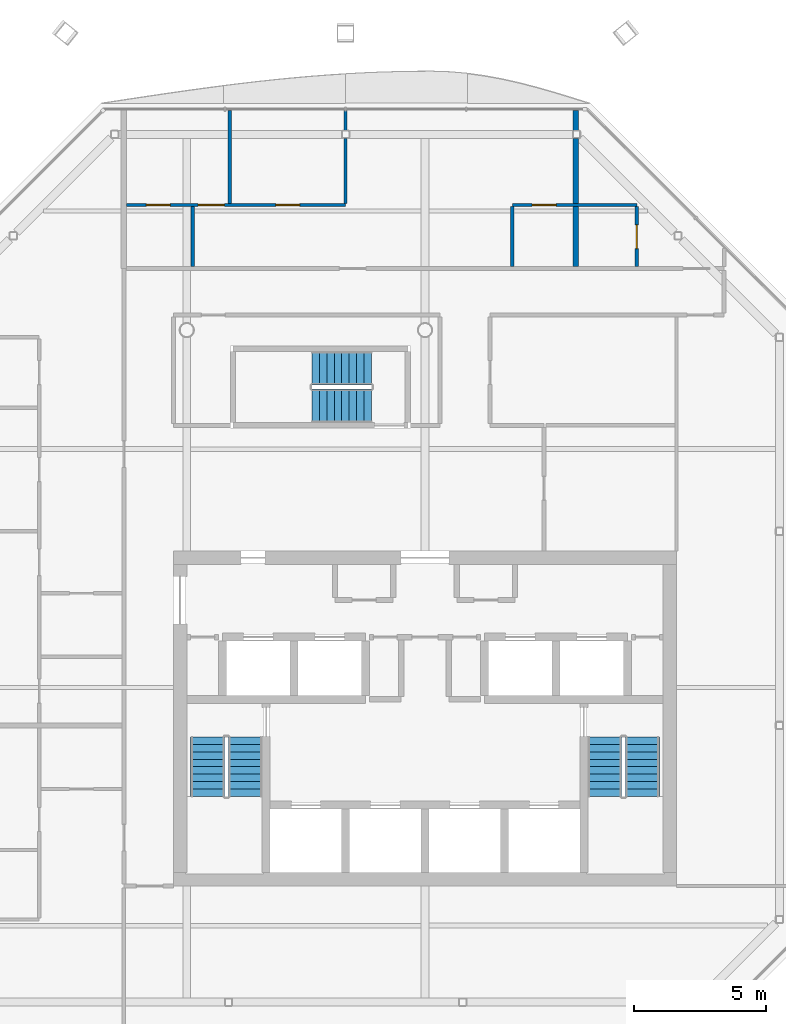
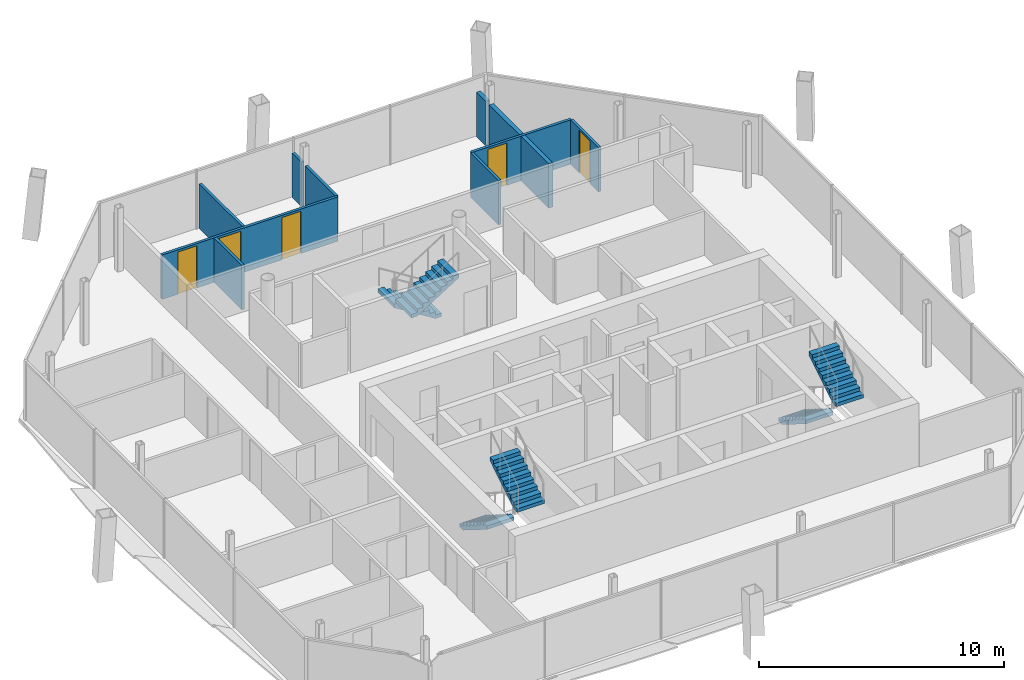
# One storey, part 12 of 16: 10 walls, 6 stair flights, 5 doors, 5 openings, 3 elements without a shape of their own.
"""IFC4 building model written with IfcOpenShell, lengths in metres."""

from ifc_helpers import new_model, si_unit, direction, frame, frame_2d, origin, place, context, subcontext, project, spatial, polyline, rectangle, outline, extrude, material, layer, layer_set, type_object, element, fill, aggregate, save


model = new_model("IFC4")

# Units and contexts
model_context = context("Model", 3, precision=1e-05, world=origin(), true_north=direction((0.0, 1.0)))
body_context = subcontext(model_context, "Body", "Model", "MODEL_VIEW")
ifc_project = project(units=[si_unit("LENGTHUNIT", "METRE"), si_unit("AREAUNIT", "SQUARE_METRE"), si_unit("VOLUMEUNIT", "CUBIC_METRE"), si_unit("PLANEANGLEUNIT", "RADIAN"), si_unit("MASSUNIT", "GRAM", prefix="KILO")], contexts=[model_context])

# Site, building, storey
site_placement = place(None, origin())
site = spatial("IfcSite", under=ifc_project, at=site_placement, CompositionType="ELEMENT")
building_placement = place(site_placement, origin())
building = spatial("IfcBuilding", under=site, at=building_placement, Name="Tskaro Facet Tower", CompositionType="ELEMENT")
storey_placement = place(building_placement, frame((0.0, 0.0, 248.699951171875)))
storey = spatial("IfcBuildingStorey", under=building, at=storey_placement, Name="L65", CompositionType="ELEMENT", Elevation=248.699951171875)

# Wall, openings, doors
ifc_material_1 = material(Name="Gypsum board on steel studs", Category="steel")
ifc_layer_1 = layer(ifc_material_1, 0.125, Name="Gypsum board on steel studs")
ifc_layer_set_1 = layer_set([ifc_layer_1], Name="Gypsum board on steel studs")
wall_type_1 = type_object("IfcWallType", Name="PART", PredefinedType="PARTITIONING", material=ifc_layer_set_1)
wall_1_placement = place(storey_placement, frame((-11.27490234375, 13.72509765625, 0.0), z_axis=(0.0, 0.0, 1.0), x_axis=(1.0, 0.0, 0.0)))
wall_1 = element("IfcWall", 1, at=wall_1_placement, inside=storey, type_object=wall_type_1, Name="Partition W037", PredefinedType="PARTITIONING", context=body_context, shape_type="SweptSolid", body=[
    extrude(rectangle(XDim=8.27490234375, YDim=0.125, at=frame_2d((4.137451171875, 0.0))), origin(), (0.0, 0.0, 1.0), 2.2099609375),
])
opening_1_placement = place(wall_1_placement, frame((5.637451171875, 0.0, 0.0)))
opening_1 = element("IfcOpeningElement", 2, at=opening_1_placement, cuts=wall_1, Name="Opening T19-D30", PredefinedType="OPENING", context=body_context, shape_type="SweptSolid", body=[
    extrude(rectangle(XDim=0.89990234375, YDim=2.10009765625, at=frame_2d((0.449951171875, 1.050048828125))), frame((0.0, 0.072509765625, 0.0), z_axis=(0.0, -1.0, 0.0), x_axis=(1.0, 0.0, 0.0)), (0.0, 0.0, 1.0), 0.14501953125),
])
opening_2_placement = place(wall_1_placement, frame((2.699951171875, 0.0, 0.0)))
opening_2 = element("IfcOpeningElement", 3, at=opening_2_placement, cuts=wall_1, Name="Opening T19-D29", PredefinedType="OPENING", context=body_context, shape_type="SweptSolid", body=[
    extrude(rectangle(XDim=1.0, YDim=2.10009765625, at=frame_2d((0.5, 1.050048828125))), frame((0.0, 0.072509765625, 0.0), z_axis=(0.0, -1.0, 0.0), x_axis=(1.0, 0.0, 0.0)), (0.0, 0.0, 1.0), 0.14501953125),
])
opening_3_placement = place(wall_1_placement, frame((0.75, 0.0, 0.0)))
opening_3 = element("IfcOpeningElement", 4, at=opening_3_placement, cuts=wall_1, Name="Opening T19-D28", PredefinedType="OPENING", context=body_context, shape_type="SweptSolid", body=[
    extrude(rectangle(XDim=0.89990234375, YDim=2.10009765625, at=frame_2d((0.449951171875, 1.050048828125))), frame((0.0, 0.072509765625, 0.0), z_axis=(0.0, -1.0, 0.0), x_axis=(1.0, 0.0, 0.0)), (0.0, 0.0, 1.0), 0.14501953125),
])
ifc_material_2 = material(Name="Timber", Category="wood")
door_type_1 = type_object("IfcDoorType", Name="D-ROOM", OperationType="NOTDEFINED", PredefinedType="DOOR", material=ifc_material_2)
door_1_placement = place(opening_1_placement, origin())
door_1 = element("IfcDoor", 5, at=door_1_placement, inside=storey, type_object=door_type_1, Name="Door T19-D30", OperationType="SINGLE_SWING_LEFT", OverallHeight=2.10009765625, OverallWidth=0.89990234375, PredefinedType="DOOR", context=body_context, shape_type="SweptSolid", body=[
    extrude(rectangle(XDim=0.89990234375, YDim=2.10009765625, at=frame_2d((0.449951171875, 1.050048828125))), frame((0.0, 0.02490234375, 0.0), z_axis=(0.0, -1.0, 0.0), x_axis=(1.0, 0.0, 0.0)), (0.0, 0.0, 1.0), 0.050048828125),
])
fill(opening_1, door_1)
door_2_placement = place(opening_3_placement, origin())
door_2 = element("IfcDoor", 6, at=door_2_placement, inside=storey, type_object=door_type_1, Name="Door T19-D28", OperationType="SINGLE_SWING_RIGHT", OverallHeight=2.10009765625, OverallWidth=0.89990234375, PredefinedType="DOOR", context=body_context, shape_type="SweptSolid", body=[
    extrude(rectangle(XDim=0.89990234375, YDim=2.10009765625, at=frame_2d((0.449951171875, 1.050048828125))), frame((0.0, 0.02490234375, 0.0), z_axis=(0.0, -1.0, 0.0), x_axis=(1.0, 0.0, 0.0)), (0.0, 0.0, 1.0), 0.050048828125),
])
fill(opening_3, door_2)
door_type_2 = type_object("IfcDoorType", Name="D-ROOM-WIDE", OperationType="NOTDEFINED", PredefinedType="DOOR", material=ifc_material_2)
door_3_placement = place(opening_2_placement, origin())
door_3 = element("IfcDoor", 7, at=door_3_placement, inside=storey, type_object=door_type_2, Name="Door T19-D29", OperationType="SINGLE_SWING_RIGHT", OverallHeight=2.10009765625, OverallWidth=1.0, PredefinedType="DOOR", context=body_context, shape_type="SweptSolid", body=[
    extrude(rectangle(XDim=1.0, YDim=2.10009765625, at=frame_2d((0.5, 1.050048828125))), frame((0.0, 0.02490234375, 0.0), z_axis=(0.0, -1.0, 0.0), x_axis=(1.0, 0.0, 0.0)), (0.0, 0.0, 1.0), 0.050048828125),
])
fill(opening_2, door_3)

# Wall, opening, door
wall_2_placement = place(storey_placement, frame((8.0, 13.72509765625, 0.0), z_axis=(0.0, 0.0, 1.0), x_axis=(-1.0, 0.0, 0.0)))
wall_2 = element("IfcWall", 8, at=wall_2_placement, inside=storey, type_object=wall_type_1, Name="Partition W038", PredefinedType="PARTITIONING", context=body_context, shape_type="SweptSolid", body=[
    extrude(rectangle(XDim=4.699951171875, YDim=0.125, at=frame_2d((2.35009765625, 0.0))), origin(), (0.0, 0.0, 1.0), 2.2099609375),
])
opening_4_placement = place(wall_2_placement, frame((3.050048828125, 0.0, 0.0)))
opening_4 = element("IfcOpeningElement", 9, at=opening_4_placement, cuts=wall_2, Name="Opening T19-D31", PredefinedType="OPENING", context=body_context, shape_type="SweptSolid", body=[
    extrude(rectangle(XDim=0.89990234375, YDim=2.10009765625, at=frame_2d((0.449951171875, 1.050048828125))), frame((0.0, 0.072509765625, 0.0), z_axis=(0.0, -1.0, 0.0), x_axis=(1.0, 0.0, 0.0)), (0.0, 0.0, 1.0), 0.14501953125),
])
door_4_placement = place(opening_4_placement, origin())
door_4 = element("IfcDoor", 10, at=door_4_placement, inside=storey, type_object=door_type_1, Name="Door T19-D31", OperationType="SINGLE_SWING_RIGHT", OverallHeight=2.10009765625, OverallWidth=0.89990234375, PredefinedType="DOOR", context=body_context, shape_type="SweptSolid", body=[
    extrude(rectangle(XDim=0.89990234375, YDim=2.10009765625, at=frame_2d((0.449951171875, 1.050048828125))), frame((0.0, 0.02490234375, 0.0), z_axis=(0.0, -1.0, 0.0), x_axis=(1.0, 0.0, 0.0)), (0.0, 0.0, 1.0), 0.050048828125),
])
fill(opening_4, door_4)

# Walls
wall_3_placement = place(storey_placement, frame((-8.77490234375, 11.39990234375, 0.0), z_axis=(0.0, 0.0, 1.0), x_axis=(0.0, 1.0, 0.0)))
element("IfcWall", 11, at=wall_3_placement, inside=storey, type_object=wall_type_1, Name="Partition W044", PredefinedType="PARTITIONING", context=body_context, shape_type="SweptSolid", body=[
    extrude(rectangle(XDim=2.2626953125, YDim=0.125, at=frame_2d((1.13134765625, 0.0))), origin(), (0.0, 0.0, 1.0), 2.2099609375),
])
wall_4_placement = place(storey_placement, frame((-7.375, 13.78759765625, 0.0), z_axis=(0.0, 0.0, 1.0), x_axis=(0.0, 1.0, 0.0)))
element("IfcWall", 12, at=wall_4_placement, inside=storey, type_object=wall_type_1, Name="Partition W046", PredefinedType="PARTITIONING", context=body_context, shape_type="SweptSolid", body=[
    extrude(rectangle(XDim=3.50244140625, YDim=0.125, at=frame_2d((1.751220703125, 0.0))), origin(), (0.0, 0.0, 1.0), 2.2099609375),
])
wall_5_placement = place(storey_placement, frame((-3.0, 13.78759765625, 0.0), z_axis=(0.0, 0.0, 1.0), x_axis=(0.0, 1.0, 0.0)))
element("IfcWall", 13, at=wall_5_placement, inside=storey, type_object=wall_type_1, Name="Partition W052", PredefinedType="PARTITIONING", context=body_context, shape_type="SweptSolid", body=[
    extrude(rectangle(XDim=2.453369140625, YDim=0.125, at=frame_2d((1.2265625, 0.0))), origin(), (0.0, 0.0, 1.0), 2.2099609375),
])
wall_6_placement = place(storey_placement, frame((-3.0, 16.541015625, 0.0), z_axis=(0.0, 0.0, 1.0), x_axis=(0.0, 1.0, 0.0)))
element("IfcWall", 14, at=wall_6_placement, inside=storey, type_object=wall_type_1, Name="Partition W053", PredefinedType="PARTITIONING", context=body_context, shape_type="SweptSolid", body=[
    extrude(rectangle(XDim=0.7490234375, YDim=0.125, at=frame_2d((0.37451171875, 0.0))), origin(), (0.0, 0.0, 1.0), 2.2099609375),
])
wall_7_placement = place(storey_placement, frame((3.300048828125, 11.39990234375, 0.0), z_axis=(0.0, 0.0, 1.0), x_axis=(0.0, 1.0, 0.0)))
element("IfcWall", 15, at=wall_7_placement, inside=storey, type_object=wall_type_1, Name="Partition W065", PredefinedType="PARTITIONING", context=body_context, shape_type="SweptSolid", body=[
    extrude(rectangle(XDim=2.2626953125, YDim=0.125, at=frame_2d((1.13134765625, 0.0))), origin(), (0.0, 0.0, 1.0), 2.2099609375),
])

# Wall, opening, door
wall_8_placement = place(storey_placement, frame((8.0, 11.39990234375, 0.0), z_axis=(0.0, 0.0, 1.0), x_axis=(0.0, 1.0, 0.0)))
wall_8 = element("IfcWall", 16, at=wall_8_placement, inside=storey, type_object=wall_type_1, Name="Partition W073", PredefinedType="PARTITIONING", context=body_context, shape_type="SweptSolid", body=[
    extrude(rectangle(XDim=2.2626953125, YDim=0.125, at=frame_2d((1.13134765625, 0.0))), origin(), (0.0, 0.0, 1.0), 2.2099609375),
])
opening_5_placement = place(wall_8_placement, frame((0.675048828125, 0.0, 0.0)))
opening_5 = element("IfcOpeningElement", 17, at=opening_5_placement, cuts=wall_8, Name="Opening T19-D27", PredefinedType="OPENING", context=body_context, shape_type="SweptSolid", body=[
    extrude(rectangle(XDim=0.89990234375, YDim=2.10009765625, at=frame_2d((0.449951171875, 1.050048828125))), frame((0.0, 0.072509765625, 0.0), z_axis=(0.0, -1.0, 0.0), x_axis=(1.0, 0.0, 0.0)), (0.0, 0.0, 1.0), 0.14501953125),
])
door_5_placement = place(opening_5_placement, origin())
door_5 = element("IfcDoor", 18, at=door_5_placement, inside=storey, type_object=door_type_1, Name="Door T19-D27", OperationType="SINGLE_SWING_LEFT", OverallHeight=2.10009765625, OverallWidth=0.89990234375, PredefinedType="DOOR", context=body_context, shape_type="SweptSolid", body=[
    extrude(rectangle(XDim=0.89990234375, YDim=2.10009765625, at=frame_2d((0.449951171875, 1.050048828125))), frame((0.0, 0.02490234375, 0.0), z_axis=(0.0, -1.0, 0.0), x_axis=(1.0, 0.0, 0.0)), (0.0, 0.0, 1.0), 0.050048828125),
])
fill(opening_5, door_5)

# Walls
ifc_layer_2 = layer(ifc_material_1, 0.199951171875, Name="Gypsum board on steel studs")
ifc_layer_set_2 = layer_set([ifc_layer_2], Name="Gypsum board on steel studs")
wall_type_2 = type_object("IfcWallType", Name="PART-DEMISING", PredefinedType="PARTITIONING", material=ifc_layer_set_2)
wall_9_placement = place(storey_placement, frame((5.699951171875, 11.39990234375, 0.0), z_axis=(0.0, 0.0, 1.0), x_axis=(0.0, 1.0, 0.0)))
element("IfcWall", 19, at=wall_9_placement, inside=storey, type_object=wall_type_2, Name="Guest room wall W069", PredefinedType="PARTITIONING", context=body_context, shape_type="SweptSolid", body=[
    extrude(rectangle(XDim=4.841064453125, YDim=0.199951171875, at=frame_2d((2.42041015625, 0.0))), origin(), (0.0, 0.0, 1.0), 2.2099609375),
])
wall_10_placement = place(storey_placement, frame((5.699951171875, 16.541015625, 0.0), z_axis=(0.0, 0.0, 1.0), x_axis=(0.0, 1.0, 0.0)))
element("IfcWall", 20, at=wall_10_placement, inside=storey, type_object=wall_type_2, Name="Guest room wall W070", PredefinedType="PARTITIONING", context=body_context, shape_type="SweptSolid", body=[
    extrude(rectangle(XDim=0.7490234375, YDim=0.199951171875, at=frame_2d((0.37451171875, 0.0))), origin(), (0.0, 0.0, 1.0), 2.2099609375),
])

# Stair, stair flights
ifc_material_3 = material(Name="Concrete C40/50", Category="concrete")
stair_type = type_object("IfcStairType", Name="ST-TWR", PredefinedType="HALF_TURN_STAIR", material=ifc_material_3)
stair_1_placement = place(storey_placement, origin())
stair_1 = element("IfcStair", 21, at=stair_1_placement, inside=storey, type_object=stair_type, Name="L65 Exit stair 1", PredefinedType="HALF_TURN_STAIR")
stair_flight_type = type_object("IfcStairFlightType", Name="SFL-RC", PredefinedType="STRAIGHT", material=ifc_material_3)
stair_flight_1_placement = place(storey_placement, frame((-8.21240234375, -6.375, 0.0), z_axis=(0.0, 0.0, 1.0), x_axis=(0.0, -1.0, 0.0)))
stair_flight_1 = element("IfcStairFlight", 22, at=stair_flight_1_placement, type_object=stair_flight_type, Name="ST-1 flight 1", NumberOfRisers=9, NumberOfTreads=8, PredefinedType="STRAIGHT", RiserHeight=0.175, TreadLength=0.28, context=body_context, shape_type="SweptSolid", body=[
    extrude(outline(polyline([(0.0, 0.0), (0.0, 0.175048828125), (0.280029296875, 0.175048828125), (0.280029296875, 0.35009765625), (0.56005859375, 0.35009765625), (0.56005859375, 0.52490234375), (0.840087890625, 0.52490234375), (0.840087890625, 0.699951171875), (1.1201171875, 0.699951171875), (1.1201171875, 0.875), (1.39990234375, 0.875), (1.39990234375, 1.050048828125), (1.679931640625, 1.050048828125), (1.679931640625, 1.22509765625), (1.9599609375, 1.22509765625), (1.9599609375, 1.39990234375), (2.239990234375, 1.39990234375), (2.239990234375, 1.574951171875), (2.239990234375, 1.22314453125), (0.28271484375, 0.0), (0.0, 0.0)])), frame((0.0, 0.637451171875, 0.0), z_axis=(0.0, -1.0, 0.0), x_axis=(1.0, 0.0, 0.0)), (0.0, 0.0, 1.0), 1.27490234375),
])
stair_flight_2_placement = place(storey_placement, frame((-6.78759765625, -8.614990234375, 1.574951171875), z_axis=(0.0, 0.0, 1.0), x_axis=(0.0, 1.0, 0.0)))
stair_flight_2 = element("IfcStairFlight", 23, at=stair_flight_2_placement, type_object=stair_flight_type, Name="ST-1 flight 2", NumberOfRisers=9, NumberOfTreads=8, PredefinedType="STRAIGHT", RiserHeight=0.175, TreadLength=0.28, context=body_context, shape_type="SweptSolid", body=[
    extrude(outline(polyline([(0.0, 0.0), (0.0, 0.175048828125), (0.280029296875, 0.175048828125), (0.280029296875, 0.35009765625), (0.56005859375, 0.35009765625), (0.56005859375, 0.52490234375), (0.840087890625, 0.52490234375), (0.840087890625, 0.699951171875), (1.1201171875, 0.699951171875), (1.1201171875, 0.875), (1.39990234375, 0.875), (1.39990234375, 1.050048828125), (1.679931640625, 1.050048828125), (1.679931640625, 1.22509765625), (1.9599609375, 1.22509765625), (1.9599609375, 1.39990234375), (2.239990234375, 1.39990234375), (2.239990234375, 1.574951171875), (2.239990234375, 1.22314453125), (0.28271484375, 0.0), (0.0, 0.0)])), frame((0.0, 0.637451171875, 0.0), z_axis=(0.0, -1.0, 0.0), x_axis=(1.0, 0.0, 0.0)), (0.0, 0.0, 1.0), 1.27490234375),
])
aggregate(stair_1, [stair_flight_1, stair_flight_2])

stair_2_placement = place(storey_placement, origin())
stair_2 = element("IfcStair", 24, at=stair_2_placement, inside=storey, type_object=stair_type, Name="L65 Exit stair 2", PredefinedType="HALF_TURN_STAIR")
stair_flight_3_placement = place(storey_placement, frame((6.78759765625, -6.375, 0.0), z_axis=(0.0, 0.0, 1.0), x_axis=(0.0, -1.0, 0.0)))
stair_flight_3 = element("IfcStairFlight", 25, at=stair_flight_3_placement, type_object=stair_flight_type, Name="ST-2 flight 1", NumberOfRisers=9, NumberOfTreads=8, PredefinedType="STRAIGHT", RiserHeight=0.175, TreadLength=0.28, context=body_context, shape_type="SweptSolid", body=[
    extrude(outline(polyline([(0.0, 0.0), (0.0, 0.175048828125), (0.280029296875, 0.175048828125), (0.280029296875, 0.35009765625), (0.56005859375, 0.35009765625), (0.56005859375, 0.52490234375), (0.840087890625, 0.52490234375), (0.840087890625, 0.699951171875), (1.1201171875, 0.699951171875), (1.1201171875, 0.875), (1.39990234375, 0.875), (1.39990234375, 1.050048828125), (1.679931640625, 1.050048828125), (1.679931640625, 1.22509765625), (1.9599609375, 1.22509765625), (1.9599609375, 1.39990234375), (2.239990234375, 1.39990234375), (2.239990234375, 1.574951171875), (2.239990234375, 1.22314453125), (0.28271484375, 0.0), (0.0, 0.0)])), frame((0.0, 0.637451171875, 0.0), z_axis=(0.0, -1.0, 0.0), x_axis=(1.0, 0.0, 0.0)), (0.0, 0.0, 1.0), 1.27490234375),
])
stair_flight_4_placement = place(storey_placement, frame((8.21240234375, -8.614990234375, 1.574951171875), z_axis=(0.0, 0.0, 1.0), x_axis=(0.0, 1.0, 0.0)))
stair_flight_4 = element("IfcStairFlight", 26, at=stair_flight_4_placement, type_object=stair_flight_type, Name="ST-2 flight 2", NumberOfRisers=9, NumberOfTreads=8, PredefinedType="STRAIGHT", RiserHeight=0.175, TreadLength=0.28, context=body_context, shape_type="SweptSolid", body=[
    extrude(outline(polyline([(0.0, 0.0), (0.0, 0.175048828125), (0.280029296875, 0.175048828125), (0.280029296875, 0.35009765625), (0.56005859375, 0.35009765625), (0.56005859375, 0.52490234375), (0.840087890625, 0.52490234375), (0.840087890625, 0.699951171875), (1.1201171875, 0.699951171875), (1.1201171875, 0.875), (1.39990234375, 0.875), (1.39990234375, 1.050048828125), (1.679931640625, 1.050048828125), (1.679931640625, 1.22509765625), (1.9599609375, 1.22509765625), (1.9599609375, 1.39990234375), (2.239990234375, 1.39990234375), (2.239990234375, 1.574951171875), (2.239990234375, 1.22314453125), (0.28271484375, 0.0), (0.0, 0.0)])), frame((0.0, 0.637451171875, 0.0), z_axis=(0.0, -1.0, 0.0), x_axis=(1.0, 0.0, 0.0)), (0.0, 0.0, 1.0), 1.27490234375),
])
aggregate(stair_2, [stair_flight_3, stair_flight_4])

stair_3_placement = place(storey_placement, origin())
stair_3 = element("IfcStair", 27, at=stair_3_placement, inside=storey, type_object=stair_type, Name="L65 Exit stair 3", PredefinedType="HALF_TURN_STAIR")
stair_flight_5_placement = place(storey_placement, frame((-2.02490234375, 7.5625, 0.0), z_axis=(0.0, 0.0, 1.0), x_axis=(-1.0, 0.0, 0.0)))
stair_flight_5 = element("IfcStairFlight", 28, at=stair_flight_5_placement, type_object=stair_flight_type, Name="ST-3 flight 1", NumberOfRisers=9, NumberOfTreads=8, PredefinedType="STRAIGHT", RiserHeight=0.175, TreadLength=0.28, context=body_context, shape_type="SweptSolid", body=[
    extrude(outline(polyline([(0.0, 0.0), (0.0, 0.175048828125), (0.280029296875, 0.175048828125), (0.280029296875, 0.35009765625), (0.56005859375, 0.35009765625), (0.56005859375, 0.52490234375), (0.840087890625, 0.52490234375), (0.840087890625, 0.699951171875), (1.1201171875, 0.699951171875), (1.1201171875, 0.875), (1.39990234375, 0.875), (1.39990234375, 1.050048828125), (1.679931640625, 1.050048828125), (1.679931640625, 1.22509765625), (1.9599609375, 1.22509765625), (1.9599609375, 1.39990234375), (2.239990234375, 1.39990234375), (2.239990234375, 1.574951171875), (2.239990234375, 1.22314453125), (0.28271484375, 0.0), (0.0, 0.0)])), frame((0.0, 0.637451171875, 0.0), z_axis=(0.0, -1.0, 0.0), x_axis=(1.0, 0.0, 0.0)), (0.0, 0.0, 1.0), 1.27490234375),
])
stair_flight_6_placement = place(storey_placement, frame((-4.264892578125, 6.137451171875, 1.574951171875), z_axis=(0.0, 0.0, 1.0), x_axis=(1.0, 0.0, 0.0)))
stair_flight_6 = element("IfcStairFlight", 29, at=stair_flight_6_placement, type_object=stair_flight_type, Name="ST-3 flight 2", NumberOfRisers=9, NumberOfTreads=8, PredefinedType="STRAIGHT", RiserHeight=0.175, TreadLength=0.28, context=body_context, shape_type="SweptSolid", body=[
    extrude(outline(polyline([(0.0, 0.0), (0.0, 0.175048828125), (0.280029296875, 0.175048828125), (0.280029296875, 0.35009765625), (0.56005859375, 0.35009765625), (0.56005859375, 0.52490234375), (0.840087890625, 0.52490234375), (0.840087890625, 0.699951171875), (1.1201171875, 0.699951171875), (1.1201171875, 0.875), (1.39990234375, 0.875), (1.39990234375, 1.050048828125), (1.679931640625, 1.050048828125), (1.679931640625, 1.22509765625), (1.9599609375, 1.22509765625), (1.9599609375, 1.39990234375), (2.239990234375, 1.39990234375), (2.239990234375, 1.574951171875), (2.239990234375, 1.22314453125), (0.28271484375, 0.0), (0.0, 0.0)])), frame((0.0, 0.637451171875, 0.0), z_axis=(0.0, -1.0, 0.0), x_axis=(1.0, 0.0, 0.0)), (0.0, 0.0, 1.0), 1.27490234375),
])
aggregate(stair_3, [stair_flight_5, stair_flight_6])

save(model, "model.ifc")
